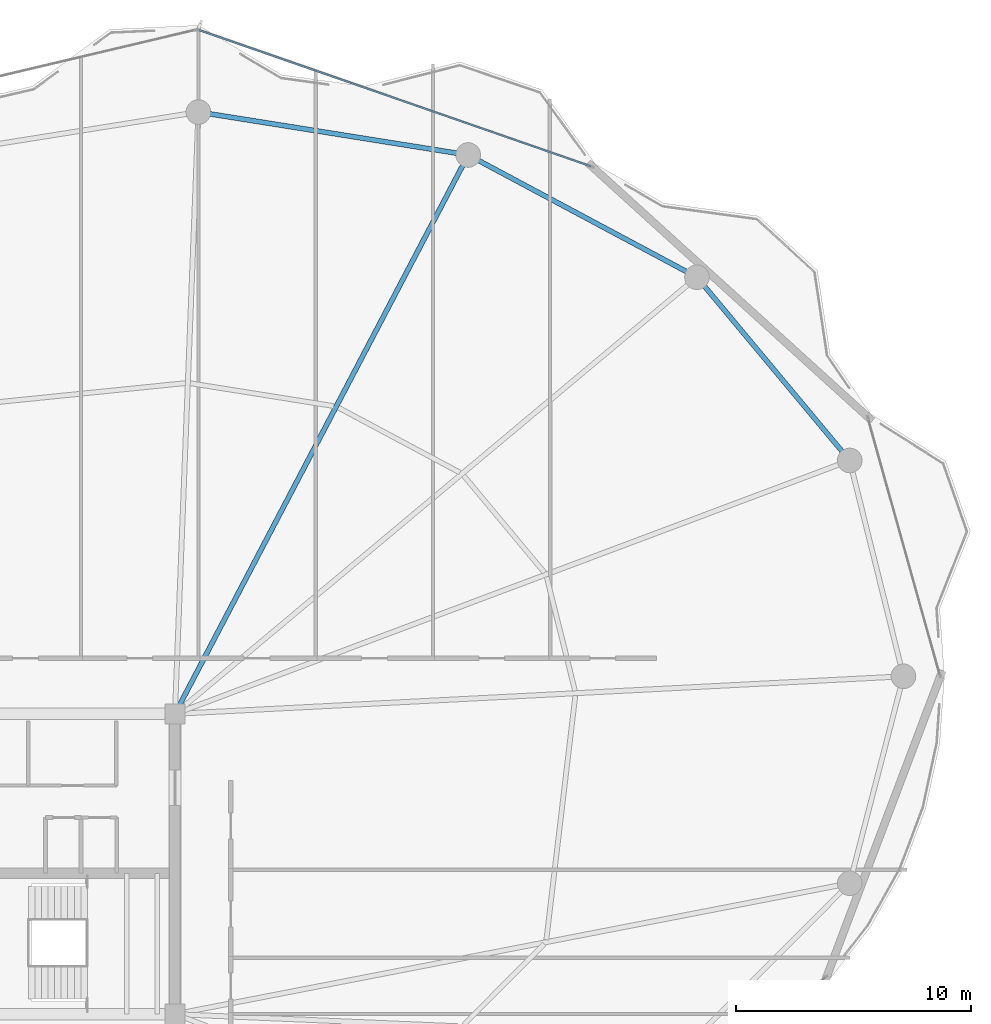
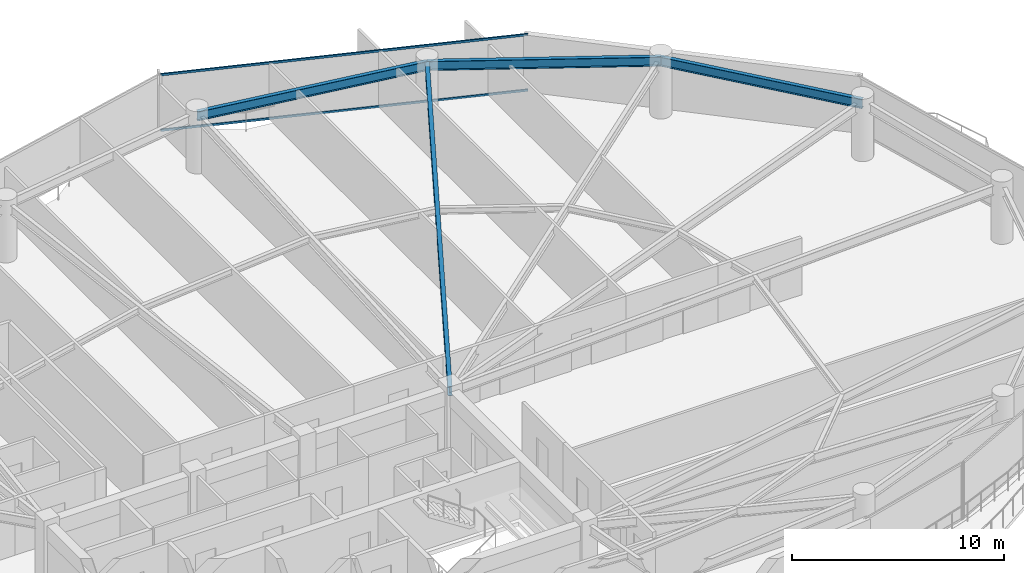
# One storey, part 20 of 29: 4 beams, 2 members, 1 element without a shape of its own.
"""IFC4 building model written with IfcOpenShell, lengths in metres."""

from ifc_helpers import new_model, si_unit, direction, frame, origin, origin_2d, place, context, subcontext, project, spatial, hollow_rectangle, i_section, extrude, material, layer, layer_set, material_profile, profile_set, type_object, element, aggregate, save


model = new_model("IFC4")

# Units and contexts
model_context = context("Model", 3, precision=1e-05, world=origin(), true_north=direction((0.0, 1.0)))
body_context = subcontext(model_context, "Body", "Model", "MODEL_VIEW")
ifc_project = project(units=[si_unit("LENGTHUNIT", "METRE"), si_unit("AREAUNIT", "SQUARE_METRE"), si_unit("VOLUMEUNIT", "CUBIC_METRE"), si_unit("PLANEANGLEUNIT", "RADIAN"), si_unit("MASSUNIT", "GRAM", prefix="KILO")], contexts=[model_context])

# Site, building, storey
site_placement = place(None, origin())
site = spatial("IfcSite", under=ifc_project, at=site_placement, CompositionType="ELEMENT")
building_placement = place(site_placement, origin())
building = spatial("IfcBuilding", under=site, at=building_placement, Name="Kazevale Care Tower and Concert Hall", CompositionType="ELEMENT")
storey_placement = place(building_placement, frame((0.0, 0.0, 249.60009765625)))
storey = spatial("IfcBuildingStorey", under=building, at=storey_placement, Name="L66", CompositionType="ELEMENT", Elevation=249.60009765625)

# Curtain wall, members
ifc_material_1 = material(Name="Aluminium 6063-T6 and Low-E Glass", Category="aluminium")
ifc_layer = layer(ifc_material_1, 0.179931640625)
ifc_layer_set = layer_set([ifc_layer], Name="Aluminium 6063-T6 and Low-E Glass")
curtain_wall_type = type_object("IfcCurtainWallType", Name="Convex Checkerboard Finned Curtain Wall CW-2", PredefinedType="NOTDEFINED", material=ifc_layer_set)
curtain_wall_placement = place(storey_placement, origin())
curtain_wall = element("IfcCurtainWall", 1, at=curtain_wall_placement, inside=storey, type_object=curtain_wall_type, Name="cw:L66:f16", PredefinedType="NOTDEFINED")
ifc_material_2 = material(Name="Aluminium 6063-T6", Category="aluminium")
ifc_material_profile_1 = material_profile(ifc_material_2, hollow_rectangle(XDim=0.074951171875, YDim=0.1201171875, WallThickness=0.00390625, at=origin_2d()), Name="ALU75x120x4")
ifc_profile_set_1 = profile_set([ifc_material_profile_1], Name="Aluminium 6063-T6")
member_type = type_object("IfcMemberType", Name="CW-2 Transom ALU75x120x4", PredefinedType="USERDEFINED", material=ifc_profile_set_1)
member_1_placement = place(storey_placement, frame((45.029541015625, 65.541748046875, 0.037353515625), z_axis=(0.944475733242, -0.328581176146, 0.0), x_axis=(0.328581176146, 0.944475733242, 0.0)))
member_1 = element("IfcMember", 2, at=member_1_placement, type_object=member_type, Name="CW-2 transom 1.1", ObjectType="TRANSOM", PredefinedType="USERDEFINED", context=body_context, shape_type="SweptSolid", body=[
    extrude(hollow_rectangle(XDim=0.074951171875, YDim=0.1201171875, WallThickness=0.00390625, at=origin_2d()), origin(), (0.0, 0.0, 1.0), 17.671142578125),
])
member_2_placement = place(storey_placement, frame((45.029541015625, 65.541748046875, 3.242431640625), z_axis=(0.944475733242, -0.328581176146, 0.0), x_axis=(0.328581176146, 0.944475733242, 0.0)))
member_2 = element("IfcMember", 3, at=member_2_placement, type_object=member_type, Name="CW-2 transom 1.2", ObjectType="TRANSOM", PredefinedType="USERDEFINED", context=body_context, shape_type="SweptSolid", body=[
    extrude(hollow_rectangle(XDim=0.074951171875, YDim=0.1201171875, WallThickness=0.00390625, at=origin_2d()), origin(), (0.0, 0.0, 1.0), 17.671142578125),
])
aggregate(curtain_wall, [member_1, member_2])

# Beams
ifc_material_3 = material(Name="Steel ASTM A572 Gr 50", Category="steel")
ifc_material_profile_2 = material_profile(ifc_material_3, i_section(OverallWidth=0.2119140625, OverallDepth=0.5439453125, WebThickness=0.01318359375, FlangeThickness=0.021240234375, at=origin_2d()), Name="W530x123")
ifc_profile_set_2 = profile_set([ifc_material_profile_2], Name="Steel ASTM A572 Gr 50")
beam_type_1 = type_object("IfcBeamType", Name="Radial Floor Girder W530x123", PredefinedType="BEAM", material=ifc_profile_set_2)
beam_1_placement = place(storey_placement, frame((44.0, 36.39990234375, 3.0078125), z_axis=(0.464672566396, 0.885482583702, 0.0), x_axis=(-0.885482583702, 0.464672566396, 0.0)))
element("IfcBeam", 4, at=beam_1_placement, inside=storey, type_object=beam_type_1, Name="beam:L66:rad:04", PredefinedType="BEAM", context=body_context, shape_type="SweptSolid", body=[
    extrude(i_section(OverallWidth=0.2119140625, OverallDepth=0.5439453125, WebThickness=0.01318359375, FlangeThickness=0.021240234375, at=origin_2d()), origin(), (0.0, 0.0, 1.0), 26.900634765625),
])
ifc_material_profile_3 = material_profile(ifc_material_3, i_section(OverallWidth=0.208984375, OverallDepth=0.532958984375, WebThickness=0.01025390625, FlangeThickness=0.015625, at=origin_2d()), Name="W530x92")
ifc_profile_set_3 = profile_set([ifc_material_profile_3], Name="Steel ASTM A572 Gr 50")
beam_type_2 = type_object("IfcBeamType", Name="Upper Ring Beam W530x92", PredefinedType="BEAM", material=ifc_profile_set_3)
beam_2_placement = place(storey_placement, frame((72.760009765625, 47.199951171875, 3.013427734375), z_axis=(-0.640278868102, 0.768142546056, 0.0), x_axis=(-0.768142546056, -0.640278868102, 0.0)))
element("IfcBeam", 5, at=beam_2_placement, inside=storey, type_object=beam_type_2, Name="beam:L66:ring:02", PredefinedType="BEAM", context=body_context, shape_type="SweptSolid", body=[
    extrude(i_section(OverallWidth=0.208984375, OverallDepth=0.532958984375, WebThickness=0.01025390625, FlangeThickness=0.015625, at=origin_2d()), origin(), (0.0, 0.0, 1.0), 10.16748046875),
])
beam_3_placement = place(storey_placement, frame((66.25, 55.010009765625, 3.013427734375), z_axis=(-0.881978519833, 0.471289603697, 0.0), x_axis=(-0.471289603697, -0.881978519833, 0.0)))
element("IfcBeam", 6, at=beam_3_placement, inside=storey, type_object=beam_type_2, Name="beam:L66:ring:03", PredefinedType="BEAM", context=body_context, shape_type="SweptSolid", body=[
    extrude(i_section(OverallWidth=0.208984375, OverallDepth=0.532958984375, WebThickness=0.01025390625, FlangeThickness=0.015625, at=origin_2d()), origin(), (0.0, 0.0, 1.0), 11.0546875),
])
beam_4_placement = place(storey_placement, frame((56.5, 60.219970703125, 3.013427734375), z_axis=(-0.987573207584, 0.15715966296, 0.0), x_axis=(-0.15715966296, -0.987573207584, 0.0)))
element("IfcBeam", 7, at=beam_4_placement, inside=storey, type_object=beam_type_2, Name="beam:L66:ring:04", PredefinedType="BEAM", context=body_context, shape_type="SweptSolid", body=[
    extrude(i_section(OverallWidth=0.208984375, OverallDepth=0.532958984375, WebThickness=0.01025390625, FlangeThickness=0.015625, at=origin_2d()), origin(), (0.0, 0.0, 1.0), 11.644775390625),
])

save(model, "model.ifc")
